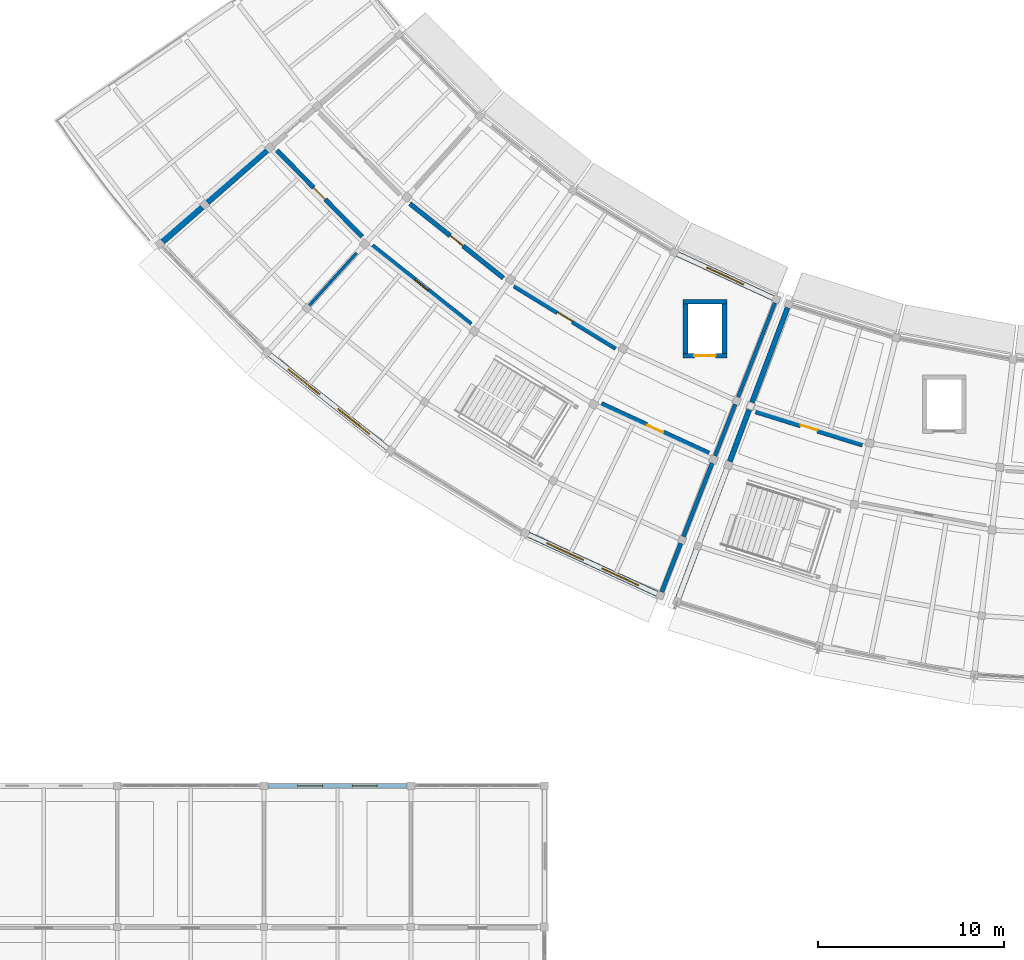
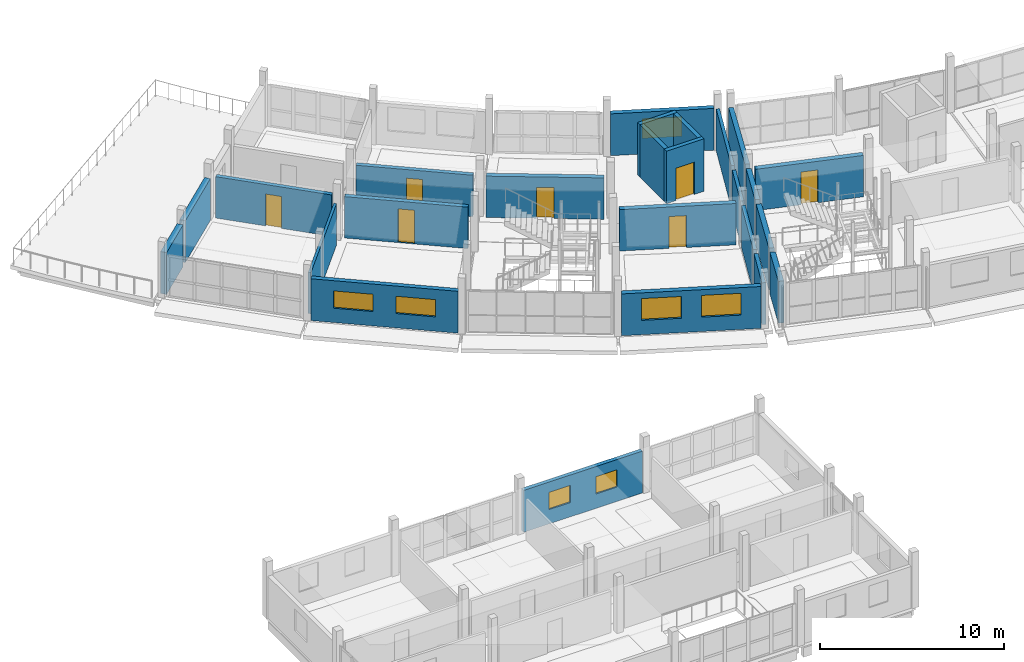
# One storey, part 53 of 66: 25 walls, 7 doors, 7 windows, 14 openings.
"""IFC4 building model written with IfcOpenShell, lengths in metres."""

import ifcopenshell
import ifcopenshell.guid

model = None  # the IFC model being written
_history = None  # IfcOwnerHistory: only IFC2X3 demands one
_inside = {}  # id of a spatial element -> (the spatial element, [elements in it])
_under = {}  # id of a project, library or spatial element -> (it, [spatial elements below it])
_declared = {}  # id of a project -> (the project, [libraries it declares])
_typed = {}  # id of a type object -> (the type object, [elements of that type])
_made_of = {}  # id of a material, layer set ... -> (it, [elements and type objects made of it])


def new_model(schema):
    """Start an empty IFC model of exactly this schema.

    Asked for "IFC4X3", IfcOpenShell would pick the latest addendum, in which some entities
    have other attributes; the version numbers below select the first issue.
    IFC2X3 requires an IfcOwnerHistory on every rooted entity: one is made here for all.
    """
    global model, _history
    if schema == "IFC4X3":
        model = ifcopenshell.file(schema_version=(4, 3, 0, 0))
    else:
        model = ifcopenshell.file(schema=schema)
    _inside.clear()
    _under.clear()
    _declared.clear()
    _typed.clear()
    _made_of.clear()
    _history = None
    if model.schema == "IFC2X3":
        org = make("IfcOrganization", Name="unknown")
        user = make(
            "IfcPersonAndOrganization",
            ThePerson=make("IfcPerson", FamilyName="unknown"),
            TheOrganization=org,
        )
        app = make(
            "IfcApplication",
            ApplicationDeveloper=org,
            Version="unknown",
            ApplicationFullName="unknown",
            ApplicationIdentifier="unknown",
        )
        _history = make(
            "IfcOwnerHistory",
            OwningUser=user,
            OwningApplication=app,
            ChangeAction="ADDED",
            CreationDate=0,
        )
    return model


def make(cls, **values):
    """One entity of the class cls with the attributes given. An attribute that is None is left unset."""
    return model.create_entity(
        cls, **{name: value for name, value in values.items() if value is not None}
    )


def rooted(cls, **values):
    """An entity with a GlobalId (a new one), such as an element, a storey or a relation."""
    return make(cls, GlobalId=ifcopenshell.guid.new(), OwnerHistory=_history, **values)


def si_unit(unit_type, name, prefix=None):
    """IfcSIUnit, for example si_unit("LENGTHUNIT", "METRE", prefix="MILLI")."""
    return make("IfcSIUnit", UnitType=unit_type, Prefix=prefix, Name=name)


def assignment(units):
    """IfcUnitAssignment: the units of a project."""
    return None if units is None else make("IfcUnitAssignment", Units=units)


def point(xyz):
    """IfcCartesianPoint."""
    return None if xyz is None else make("IfcCartesianPoint", Coordinates=xyz)


def direction(xyz):
    """IfcDirection."""
    return None if xyz is None else make("IfcDirection", DirectionRatios=xyz)


def frame(location, z_axis=None, x_axis=None):
    """IfcAxis2Placement3D, a coordinate frame: its origin and axes. An axis left out is left unset."""
    return make(
        "IfcAxis2Placement3D",
        Location=point(location),
        Axis=direction(z_axis),
        RefDirection=direction(x_axis),
    )


def frame_2d(location, x_axis=None):
    """IfcAxis2Placement2D, a coordinate frame in the plane: its origin and x axis."""
    return make(
        "IfcAxis2Placement2D", Location=point(location), RefDirection=direction(x_axis)
    )


def origin():
    """The frame at (0, 0, 0) with its axes left unset."""
    return frame((0.0, 0.0, 0.0))


def place(relative_to, where):
    """IfcLocalPlacement: puts the frame where relative to a parent placement (None: the world)."""
    return make(
        "IfcLocalPlacement", PlacementRelTo=relative_to, RelativePlacement=where
    )


def context(
    kind, dimensions, precision=None, world=None, true_north=None, identifier=None
):
    """IfcGeometricRepresentationContext, for example the 3D "Model" context."""
    return make(
        "IfcGeometricRepresentationContext",
        ContextIdentifier=identifier,
        ContextType=kind,
        CoordinateSpaceDimension=dimensions,
        Precision=precision,
        WorldCoordinateSystem=world,
        TrueNorth=true_north,
    )


def subcontext(parent, identifier, kind, view, scale=None):
    """IfcGeometricRepresentationSubContext, for example "Body" below "Model"."""
    return make(
        "IfcGeometricRepresentationSubContext",
        ContextIdentifier=identifier,
        ContextType=kind,
        ParentContext=parent,
        TargetScale=scale,
        TargetView=view,
    )


def project(units=None, contexts=None):
    """IfcProject with its units and contexts."""
    return rooted(
        "IfcProject",
        Name="project",
        RepresentationContexts=contexts,
        UnitsInContext=assignment(units),
    )


def spatial(cls, under=None, at=None, **own):
    """A site, building, storey or space (cls), placed at a placement, below another one or the project."""
    s = rooted(cls, ObjectPlacement=at, **own)
    if under is not None:
        _under.setdefault(under.id(), (under, []))[1].append(s)
    return s


def profile(cls, at=None, kind="AREA", **sizes):
    """A parametric profile (cls). Its sizes go by their IFC names, for example OverallWidth=200.0."""
    return make(cls, ProfileType=kind, Position=at, **sizes)


def rectangle(**sizes):
    """IfcRectangleProfileDef."""
    return profile("IfcRectangleProfileDef", **sizes)


def extrude(swept, where, along, depth):
    """IfcExtrudedAreaSolid: the profile swept, set in the frame where, extruded along a direction by depth."""
    return make(
        "IfcExtrudedAreaSolid",
        SweptArea=swept,
        Position=where,
        ExtrudedDirection=direction(along),
        Depth=depth,
    )


def shape(context_of_items, identifier, shape_type, items):
    """IfcShapeRepresentation: the items that make up one representation, for example the "Body"."""
    return make(
        "IfcShapeRepresentation",
        ContextOfItems=context_of_items,
        RepresentationIdentifier=identifier,
        RepresentationType=shape_type,
        Items=items,
    )


def material(Name=None, Category=None):
    """IfcMaterial."""
    return make("IfcMaterial", Name=Name, Category=Category)


def layer(
    of_material, thickness, ventilated=None, Name=None, Category=None, Priority=None
):
    """IfcMaterialLayer: one layer of a wall or slab, of a material (None: an air gap)."""
    return make(
        "IfcMaterialLayer",
        Material=of_material,
        LayerThickness=thickness,
        IsVentilated=ventilated,
        Name=Name,
        Category=Category,
        Priority=Priority,
    )


def layer_set(layers, Name=None):
    """IfcMaterialLayerSet."""
    return make("IfcMaterialLayerSet", MaterialLayers=layers, LayerSetName=Name)


def made_of(thing, what):
    """Note that an element or type object is made of a material, layer set ...; save() writes the relation."""
    if what is not None:
        _made_of.setdefault(what.id(), (what, []))[1].append(thing)
    return thing


def type_object(cls, material=None, **own):
    """A type object (cls), such as IfcWallType, which elements share."""
    return made_of(rooted(cls, **own), material)


def element(
    cls,
    number,
    at=None,
    inside=None,
    cuts=None,
    type_object=None,
    material=None,
    context=None,
    identifier="Body",
    shape_type=None,
    held_by="IfcProductDefinitionShape",
    body=None,
    shapes=None,
    **own,
):
    """One element of the class cls, such as IfcWall. Its Tag is "e" and its number.

    at: its placement. inside: the storey or other place that contains it. cuts: it is an
    opening in that element (IfcRelVoidsElement). A single representation is given by context,
    identifier, shape_type and body (its items); several are given by shapes. held_by: the class
    of the entity that holds the representations. save() writes the other relations.
    """
    e = rooted(cls, Tag="e%d" % number, ObjectPlacement=at, **own)
    if body is not None:
        shapes = [shape(context, identifier, shape_type, body)]
    if shapes is not None:
        e.Representation = make(held_by, Representations=shapes)
    if inside is not None:
        _inside.setdefault(inside.id(), (inside, []))[1].append(e)
    if cuts is not None:
        rooted(
            "IfcRelVoidsElement", RelatingBuildingElement=cuts, RelatedOpeningElement=e
        )
    if type_object is not None:
        _typed.setdefault(type_object.id(), (type_object, []))[1].append(e)
    return made_of(e, material)


def fill(opening, filler):
    """IfcRelFillsElement: the door or window that sits in an opening."""
    return rooted(
        "IfcRelFillsElement",
        RelatingOpeningElement=opening,
        RelatedBuildingElement=filler,
    )


def aggregate(whole, parts):
    """IfcRelAggregates: a whole, such as a stair, and the parts it consists of."""
    return rooted("IfcRelAggregates", RelatingObject=whole, RelatedObjects=parts)


def save(model, path):
    """Write the relations noted so far, then the file.

    IfcRelAggregates (storeys below a building ...), IfcRelContainedInSpatialStructure (elements
    in a storey), IfcRelDefinesByType, IfcRelAssociatesMaterial and IfcRelDeclares: one each for
    every whole, place, type object, material and project.
    """
    for whole, parts in _under.values():
        aggregate(whole, parts)
    for where, things in _inside.values():
        rooted(
            "IfcRelContainedInSpatialStructure",
            RelatedElements=things,
            RelatingStructure=where,
        )
    for kind, things in _typed.values():
        rooted("IfcRelDefinesByType", RelatedObjects=things, RelatingType=kind)
    for what, things in _made_of.values():
        rooted("IfcRelAssociatesMaterial", RelatedObjects=things, RelatingMaterial=what)
    for by, libraries in _declared.values():
        rooted("IfcRelDeclares", RelatingContext=by, RelatedDefinitions=libraries)
    model.write(path)


model = new_model("IFC4")

# Units and contexts
model_context = context("Model", 3, precision=1e-05, world=origin(), true_north=direction((0.0, 1.0)))
body_context = subcontext(model_context, "Body", "Model", "MODEL_VIEW")
ifc_project = project(units=[si_unit("LENGTHUNIT", "METRE"), si_unit("AREAUNIT", "SQUARE_METRE"), si_unit("VOLUMEUNIT", "CUBIC_METRE"), si_unit("PLANEANGLEUNIT", "RADIAN"), si_unit("MASSUNIT", "GRAM", prefix="KILO")], contexts=[model_context])

# Site, building, storey
site_placement = place(None, origin())
site = spatial("IfcSite", under=ifc_project, at=site_placement, CompositionType="ELEMENT")
building_placement = place(site_placement, origin())
building = spatial("IfcBuilding", under=site, at=building_placement, Name="Caldaven Crescent School", CompositionType="ELEMENT")
storey_placement = place(building_placement, frame((0.0, 0.0, 8.159912109375)))
storey = spatial("IfcBuildingStorey", under=building, at=storey_placement, Name="L02", CompositionType="ELEMENT", Elevation=8.159912109375)

# Wall
ifc_material_1 = material(Name="Concrete C35/45", Category="concrete")
ifc_layer_1 = layer(ifc_material_1, 0.300048828125)
ifc_layer_set_1 = layer_set([ifc_layer_1], Name="Concrete C35/45")
wall_type_1 = type_object("IfcWallType", Name="WAL-CW1", PredefinedType="SHEAR", material=ifc_layer_set_1)
wall_1_placement = place(storey_placement, frame((63.85107421875, 47.0380859375, 0.0), z_axis=(0.0, 0.0, 1.0), x_axis=(1.0, 0.0, 0.0)))
element("IfcWall", 1, at=wall_1_placement, inside=storey, type_object=wall_type_1, Name="CW-LF4-L02-N", PredefinedType="SHEAR", context=body_context, shape_type="SweptSolid", body=[
    extrude(rectangle(XDim=2.349853515625, YDim=0.25, at=frame_2d((1.1748046875, 0.0))), origin(), (0.0, 0.0, 1.0), 3.489990234375),
])

# Wall, opening, door
wall_2_placement = place(storey_placement, frame((63.85107421875, 44.13818359375, 0.0), z_axis=(0.0, 0.0, 1.0), x_axis=(1.0, 0.0, 0.0)))
wall_2 = element("IfcWall", 2, at=wall_2_placement, inside=storey, type_object=wall_type_1, Name="CW-LF4-L02-S", PredefinedType="SHEAR", context=body_context, shape_type="SweptSolid", body=[
    extrude(rectangle(XDim=2.349853515625, YDim=0.25, at=frame_2d((1.1748046875, 0.0))), origin(), (0.0, 0.0, 1.0), 3.489990234375),
])
opening_1_placement = place(wall_2_placement, frame((0.60009765625, 0.0, 0.0)))
opening_1 = element("IfcOpeningElement", 3, at=opening_1_placement, cuts=wall_2, Name="Opening LD-LF4-L02", PredefinedType="OPENING", context=body_context, shape_type="SweptSolid", body=[
    extrude(rectangle(XDim=1.14990234375, YDim=2.14990234375, at=frame_2d((0.574951171875, 1.074951171875))), frame((0.0, 0.135009765625, 0.0), z_axis=(0.0, -1.0, 0.0), x_axis=(1.0, 0.0, 0.0)), (0.0, 0.0, 1.0), 0.27001953125),
])
ifc_material_2 = material(Name="Brushed stainless-steel automatic telescopic landing door", Category="steel")
door_type_1 = type_object("IfcDoorType", Name="DOR-LD02", OperationType="DOUBLE_DOOR_SLIDING", PredefinedType="DOOR", material=ifc_material_2)
door_1_placement = place(opening_1_placement, origin())
door_1 = element("IfcDoor", 4, at=door_1_placement, inside=storey, type_object=door_type_1, Name="DOR-LD-LF4-L02", OperationType="DOUBLE_DOOR_SLIDING", OverallHeight=2.14990234375, OverallWidth=1.14990234375, PredefinedType="DOOR", context=body_context, shape_type="SweptSolid", body=[
    extrude(rectangle(XDim=1.14990234375, YDim=2.14990234375, at=frame_2d((0.574951171875, 1.074951171875))), frame((0.0, 0.02490234375, 0.0), z_axis=(0.0, -1.0, 0.0), x_axis=(1.0, 0.0, 0.0)), (0.0, 0.0, 1.0), 0.050048828125),
])
fill(opening_1, door_1)

# Walls
ifc_layer_2 = layer(ifc_material_1, 0.25)
ifc_layer_set_2 = layer_set([ifc_layer_2], Name="Concrete C35/45")
wall_type_2 = type_object("IfcWallType", Name="WAL-CW2", PredefinedType="SHEAR", material=ifc_layer_set_2)
for number, where, z_axis, x_axis, name in (
    (5, (63.97607421875, 44.26318359375, 0.0), (0.0, 0.0, 1.0), (0.0, 1.0, 0.0), "CW-LF4-L02-W"),
    (6, (66.075927734375, 44.26318359375, 0.0), (0.0, 0.0, 1.0), (0.0, 1.0, 0.0), "CW-LF4-L02-E"),
):
    element("IfcWall", number, at=place(storey_placement, frame(where, z_axis=z_axis, x_axis=x_axis)), inside=storey, type_object=wall_type_2, Name=name, PredefinedType="SHEAR", context=body_context, shape_type="SweptSolid", body=[
        extrude(rectangle(XDim=2.64990234375, YDim=0.25, at=frame_2d((1.324951171875, 0.0))), origin(), (0.0, 0.0, 1.0), 3.489990234375),
    ])
ifc_material_3 = material(Name="Precast concrete C35/45", Category="concrete")
ifc_layer_3 = layer(ifc_material_3, 0.19189453125)
ifc_layer_set_3 = layer_set([ifc_layer_3], Name="Precast concrete C35/45")
wall_type_3 = type_object("IfcWallType", Name="WAL-EW01", PredefinedType="STANDARD", material=ifc_layer_set_3)
wall_3_placement = place(storey_placement, frame((68.794677734375, 46.97998046875, 0.0), z_axis=(0.0, 0.0, 1.0), x_axis=(-0.364795350011, -0.931087725518, 0.0)))
element("IfcWall", 7, at=wall_3_placement, inside=storey, type_object=wall_type_3, Name="EW-L02-168", PredefinedType="STANDARD", context=body_context, shape_type="SweptSolid", body=[
    extrude(rectangle(XDim=5.43896484375, YDim=0.19189453125, at=frame_2d((2.719482421875, 0.0))), origin(), (0.0, 0.0, 1.0), 2.780029296875),
])
ifc_layer_4 = layer(ifc_material_3, 0.2041015625)
ifc_layer_set_4 = layer_set([ifc_layer_4], Name="Precast concrete C35/45")
wall_type_4 = type_object("IfcWallType", Name="WAL-EW02", PredefinedType="STANDARD", material=ifc_layer_set_4)
wall_4_placement = place(storey_placement, frame((66.6552734375, 41.51904296875, 0.0), z_axis=(0.0, 0.0, 1.0), x_axis=(-0.364814075751, -0.931080388653, 0.0)))
element("IfcWall", 8, at=wall_4_placement, inside=storey, type_object=wall_type_4, Name="EW-L02-169", PredefinedType="STANDARD", context=body_context, shape_type="SweptSolid", body=[
    extrude(rectangle(XDim=2.97412109375, YDim=0.2041015625, at=frame_2d((1.487060546875, 0.0))), origin(), (0.0, 0.0, 1.0), 2.780029296875),
])
ifc_layer_5 = layer(ifc_material_3, 0.216064453125)
ifc_layer_set_5 = layer_set([ifc_layer_5], Name="Precast concrete C35/45")
wall_type_5 = type_object("IfcWallType", Name="WAL-EW03", PredefinedType="STANDARD", material=ifc_layer_set_5)
wall_5_placement = place(storey_placement, frame((65.4150390625, 38.353271484375, 0.0), z_axis=(0.0, 0.0, 1.0), x_axis=(-0.364807578084, -0.93108293453, 0.0)))
element("IfcWall", 9, at=wall_5_placement, inside=storey, type_object=wall_type_5, Name="EW-L02-170", PredefinedType="STANDARD", context=body_context, shape_type="SweptSolid", body=[
    extrude(rectangle(XDim=4.239013671875, YDim=0.216064453125, at=frame_2d((2.11962890625, 0.0))), origin(), (0.0, 0.0, 1.0), 2.780029296875),
])
ifc_layer_6 = layer(ifc_material_3, 0.22802734375)
ifc_layer_set_6 = layer_set([ifc_layer_6], Name="Precast concrete C35/45")
wall_type_6 = type_object("IfcWallType", Name="WAL-EW04", PredefinedType="STANDARD", material=ifc_layer_set_6)
wall_6_placement = place(storey_placement, frame((63.72412109375, 34.037841796875, 0.0), z_axis=(0.0, 0.0, 1.0), x_axis=(-0.364806382824, -0.931083402844, 0.0)))
element("IfcWall", 10, at=wall_6_placement, inside=storey, type_object=wall_type_6, Name="EW-L02-171", PredefinedType="STANDARD", context=body_context, shape_type="SweptSolid", body=[
    extrude(rectangle(XDim=2.80419921875, YDim=0.22802734375, at=frame_2d((1.402099609375, 0.0))), origin(), (0.0, 0.0, 1.0), 2.780029296875),
])

# Wall, openings, windows
ifc_layer_7 = layer(ifc_material_3, 0.239990234375)
ifc_layer_set_7 = layer_set([ifc_layer_7], Name="Precast concrete C35/45")
wall_type_7 = type_object("IfcWallType", Name="WAL-EW05", PredefinedType="STANDARD", material=ifc_layer_set_7)
wall_7_placement = place(storey_placement, frame((41.512939453125, 21.0, 0.0), z_axis=(0.0, 0.0, 1.0), x_axis=(1.0, 0.0, 0.0)))
wall_7 = element("IfcWall", 11, at=wall_7_placement, inside=storey, type_object=wall_type_7, Name="EW-L02-074", PredefinedType="STANDARD", context=body_context, shape_type="SweptSolid", body=[
    extrude(rectangle(XDim=7.47412109375, YDim=0.239990234375, at=frame_2d((3.737060546875, 0.0))), origin(), (0.0, 0.0, 1.0), 2.780029296875),
])
opening_2_placement = place(wall_7_placement, frame((1.597900390625, 0.0, 0.949951171875)))
opening_2 = element("IfcOpeningElement", 12, at=opening_2_placement, cuts=wall_7, Name="Opening W09", PredefinedType="OPENING", context=body_context, shape_type="SweptSolid", body=[
    extrude(rectangle(XDim=1.340087890625, YDim=1.14990234375, at=frame_2d((0.669921875, 0.574951171875))), frame((0.0, 0.1298828125, 0.0), z_axis=(0.0, -1.0, 0.0), x_axis=(1.0, 0.0, 0.0)), (0.0, 0.0, 1.0), 0.260009765625),
])
opening_3_placement = place(wall_7_placement, frame((4.535888671875, 0.0, 0.949951171875)))
opening_3 = element("IfcOpeningElement", 13, at=opening_3_placement, cuts=wall_7, Name="Opening W09", PredefinedType="OPENING", context=body_context, shape_type="SweptSolid", body=[
    extrude(rectangle(XDim=1.340087890625, YDim=1.14990234375, at=frame_2d((0.669921875, 0.574951171875))), frame((0.0, 0.1298828125, 0.0), z_axis=(0.0, -1.0, 0.0), x_axis=(1.0, 0.0, 0.0)), (0.0, 0.0, 1.0), 0.260009765625),
])
ifc_material_4 = material(Name="Thermally broken anodised aluminium AA 6063-T6 and low-E double glazing", Category="aluminium")
window_type_1 = type_object("IfcWindowType", Name="WIN-W09", PartitioningType="SINGLE_PANEL", PredefinedType="WINDOW", material=ifc_material_4)
window_1_placement = place(opening_2_placement, origin())
window_1 = element("IfcWindow", 14, at=window_1_placement, inside=storey, type_object=window_type_1, Name="WIN-L02-056-1", OverallHeight=1.14990234375, OverallWidth=1.340087890625, PartitioningType="SINGLE_PANEL", PredefinedType="WINDOW", context=body_context, shape_type="SweptSolid", body=[
    extrude(rectangle(XDim=1.340087890625, YDim=1.14990234375, at=frame_2d((0.669921875, 0.574951171875))), frame((0.0, 0.030029296875, 0.0), z_axis=(0.0, -1.0, 0.0), x_axis=(1.0, 0.0, 0.0)), (0.0, 0.0, 1.0), 0.06005859375),
])
fill(opening_2, window_1)
window_2_placement = place(opening_3_placement, origin())
window_2 = element("IfcWindow", 15, at=window_2_placement, inside=storey, type_object=window_type_1, Name="WIN-L02-056-2", OverallHeight=1.14990234375, OverallWidth=1.340087890625, PartitioningType="SINGLE_PANEL", PredefinedType="WINDOW", context=body_context, shape_type="SweptSolid", body=[
    extrude(rectangle(XDim=1.340087890625, YDim=1.14990234375, at=frame_2d((0.669921875, 0.574951171875))), frame((0.0, 0.030029296875, 0.0), z_axis=(0.0, -1.0, 0.0), x_axis=(1.0, 0.0, 0.0)), (0.0, 0.0, 1.0), 0.06005859375),
])
fill(opening_3, window_2)

ifc_layer_8 = layer(ifc_material_3, 0.27587890625)
ifc_layer_set_8 = layer_set([ifc_layer_8], Name="Precast concrete C35/45")
wall_type_8 = type_object("IfcWallType", Name="WAL-EW08", PredefinedType="STANDARD", material=ifc_layer_set_8)
wall_8_placement = place(storey_placement, frame((41.616943359375, 44.19091796875, 0.0), z_axis=(0.0, 0.0, 1.0), x_axis=(0.782610403329, -0.62251181242, 0.0)))
wall_8 = element("IfcWall", 16, at=wall_8_placement, inside=storey, type_object=wall_type_8, Name="EW-L02-161", PredefinedType="STANDARD", context=body_context, shape_type="SweptSolid", body=[
    extrude(rectangle(XDim=8.095947265625, YDim=0.27587890625, at=frame_2d((4.0478515625, 0.0))), origin(), (0.0, 0.0, 1.0), 2.780029296875),
])
opening_4_placement = place(wall_8_placement, frame((1.245361328125, 0.0, 0.949951171875)))
opening_4 = element("IfcOpeningElement", 17, at=opening_4_placement, cuts=wall_8, Name="Opening W37", PredefinedType="OPENING", context=body_context, shape_type="SweptSolid", body=[
    extrude(rectangle(XDim=2.179931640625, YDim=1.14990234375, at=frame_2d((1.08984375, 0.574951171875))), frame((0.0, 0.14794921875, 0.0), z_axis=(0.0, -1.0, 0.0), x_axis=(1.0, 0.0, 0.0)), (0.0, 0.0, 1.0), 0.2958984375),
])
opening_5_placement = place(wall_8_placement, frame((4.670654296875, 0.0, 0.949951171875)))
opening_5 = element("IfcOpeningElement", 18, at=opening_5_placement, cuts=wall_8, Name="Opening W37", PredefinedType="OPENING", context=body_context, shape_type="SweptSolid", body=[
    extrude(rectangle(XDim=2.179931640625, YDim=1.14990234375, at=frame_2d((1.08984375, 0.574951171875))), frame((0.0, 0.14794921875, 0.0), z_axis=(0.0, -1.0, 0.0), x_axis=(1.0, 0.0, 0.0)), (0.0, 0.0, 1.0), 0.2958984375),
])
window_type_2 = type_object("IfcWindowType", Name="WIN-W37", PartitioningType="SINGLE_PANEL", PredefinedType="WINDOW", material=ifc_material_4)
window_3_placement = place(opening_4_placement, origin())
window_3 = element("IfcWindow", 19, at=window_3_placement, inside=storey, type_object=window_type_2, Name="WIN-L02-084-1", OverallHeight=1.14990234375, OverallWidth=2.179931640625, PartitioningType="SINGLE_PANEL", PredefinedType="WINDOW", context=body_context, shape_type="SweptSolid", body=[
    extrude(rectangle(XDim=2.179931640625, YDim=1.14990234375, at=frame_2d((1.08984375, 0.574951171875))), frame((0.0, 0.030029296875, 0.0), z_axis=(0.0, -1.0, 0.0), x_axis=(1.0, 0.0, 0.0)), (0.0, 0.0, 1.0), 0.06005859375),
])
fill(opening_4, window_3)
window_4_placement = place(opening_5_placement, origin())
window_4 = element("IfcWindow", 20, at=window_4_placement, inside=storey, type_object=window_type_2, Name="WIN-L02-084-2", OverallHeight=1.14990234375, OverallWidth=2.179931640625, PartitioningType="SINGLE_PANEL", PredefinedType="WINDOW", context=body_context, shape_type="SweptSolid", body=[
    extrude(rectangle(XDim=2.179931640625, YDim=1.14990234375, at=frame_2d((1.08984375, 0.574951171875))), frame((0.0, 0.030029296875, 0.0), z_axis=(0.0, -1.0, 0.0), x_axis=(1.0, 0.0, 0.0)), (0.0, 0.0, 1.0), 0.06005859375),
])
fill(opening_5, window_4)

# Wall
wall_9_placement = place(storey_placement, frame((69.471435546875, 46.72021484375, 0.0), z_axis=(0.0, 0.0, 1.0), x_axis=(-0.351915297574, -0.936031849529, 0.0)))
element("IfcWall", 21, at=wall_9_placement, inside=storey, type_object=wall_type_8, Name="EW-L02-175", PredefinedType="STANDARD", context=body_context, shape_type="SweptSolid", body=[
    extrude(rectangle(XDim=5.43896484375, YDim=0.27587890625, at=frame_2d((2.719482421875, 0.0))), origin(), (0.0, 0.0, 1.0), 2.780029296875),
])

# Wall, opening, window
ifc_layer_9 = layer(ifc_material_3, 0.2880859375)
ifc_layer_set_9 = layer_set([ifc_layer_9], Name="Precast concrete C35/45")
wall_type_9 = type_object("IfcWallType", Name="WAL-EW09", PredefinedType="STANDARD", material=ifc_layer_set_9)
wall_10_placement = place(storey_placement, frame((63.55615234375, 49.606689453125, 0.0), z_axis=(0.0, 0.0, 1.0), x_axis=(0.908529183404, -0.417821400723, 0.0)))
wall_10 = element("IfcWall", 22, at=wall_10_placement, inside=storey, type_object=wall_type_9, Name="EW-L02-162", PredefinedType="STANDARD", context=body_context, shape_type="SweptSolid", body=[
    extrude(rectangle(XDim=5.6474609375, YDim=0.2880859375, at=frame_2d((2.82373046875, 0.0))), origin(), (0.0, 0.0, 1.0), 2.780029296875),
])
opening_6_placement = place(wall_10_placement, frame((1.733642578125, 0.0, 0.949951171875)))
opening_6 = element("IfcOpeningElement", 23, at=opening_6_placement, cuts=wall_10, Name="Opening W38", PredefinedType="OPENING", context=body_context, shape_type="SweptSolid", body=[
    extrude(rectangle(XDim=2.179931640625, YDim=1.300048828125, at=frame_2d((1.08984375, 0.64990234375))), frame((0.0, 0.154052734375, 0.0), z_axis=(0.0, -1.0, 0.0), x_axis=(1.0, 0.0, 0.0)), (0.0, 0.0, 1.0), 0.30810546875),
])
window_type_3 = type_object("IfcWindowType", Name="WIN-W38", PartitioningType="SINGLE_PANEL", PredefinedType="WINDOW", material=ifc_material_4)
window_5_placement = place(opening_6_placement, origin())
window_5 = element("IfcWindow", 24, at=window_5_placement, inside=storey, type_object=window_type_3, Name="WIN-L02-085-1", OverallHeight=1.300048828125, OverallWidth=2.179931640625, PartitioningType="SINGLE_PANEL", PredefinedType="WINDOW", context=body_context, shape_type="SweptSolid", body=[
    extrude(rectangle(XDim=2.179931640625, YDim=1.300048828125, at=frame_2d((1.08984375, 0.64990234375))), frame((0.0, 0.030029296875, 0.0), z_axis=(0.0, -1.0, 0.0), x_axis=(1.0, 0.0, 0.0)), (0.0, 0.0, 1.0), 0.06005859375),
])
fill(opening_6, window_5)

# Wall
wall_11_placement = place(storey_placement, frame((67.407470703125, 41.230224609375, 0.0), z_axis=(0.0, 0.0, 1.0), x_axis=(-0.35193299539, -0.936025195577, 0.0)))
element("IfcWall", 25, at=wall_11_placement, inside=storey, type_object=wall_type_9, Name="EW-L02-176", PredefinedType="STANDARD", context=body_context, shape_type="SweptSolid", body=[
    extrude(rectangle(XDim=2.973876953125, YDim=0.2880859375, at=frame_2d((1.48681640625, 0.0))), origin(), (0.0, 0.0, 1.0), 2.780029296875),
])

# Wall, openings, windows
ifc_layer_10 = layer(ifc_material_3, 0.300048828125)
ifc_layer_set_10 = layer_set([ifc_layer_10], Name="Precast concrete C35/45")
wall_type_10 = type_object("IfcWallType", Name="WAL-EW10", PredefinedType="STANDARD", material=ifc_layer_set_10)
wall_12_placement = place(storey_placement, frame((55.528076171875, 34.50830078125, 0.0), z_axis=(0.0, 0.0, 1.0), x_axis=(0.908533520845, -0.417811969073, 0.0)))
wall_12 = element("IfcWall", 26, at=wall_12_placement, inside=storey, type_object=wall_type_10, Name="EW-L02-163", PredefinedType="STANDARD", context=body_context, shape_type="SweptSolid", body=[
    extrude(rectangle(XDim=7.617919921875, YDim=0.300048828125, at=frame_2d((3.80908203125, 0.0))), origin(), (0.0, 0.0, 1.0), 2.780029296875),
])
opening_7_placement = place(wall_12_placement, frame((1.0859375, 0.0, 0.949951171875)))
opening_7 = element("IfcOpeningElement", 27, at=opening_7_placement, cuts=wall_12, Name="Opening W39", PredefinedType="OPENING", context=body_context, shape_type="SweptSolid", body=[
    extrude(rectangle(XDim=2.179931640625, YDim=1.449951171875, at=frame_2d((1.08984375, 0.72509765625))), frame((0.0, 0.159912109375, 0.0), z_axis=(0.0, -1.0, 0.0), x_axis=(1.0, 0.0, 0.0)), (0.0, 0.0, 1.0), 0.320068359375),
])
opening_8_placement = place(wall_12_placement, frame((4.351806640625, 0.0, 0.949951171875)))
opening_8 = element("IfcOpeningElement", 28, at=opening_8_placement, cuts=wall_12, Name="Opening W39", PredefinedType="OPENING", context=body_context, shape_type="SweptSolid", body=[
    extrude(rectangle(XDim=2.179931640625, YDim=1.449951171875, at=frame_2d((1.08984375, 0.72509765625))), frame((0.0, 0.159912109375, 0.0), z_axis=(0.0, -1.0, 0.0), x_axis=(1.0, 0.0, 0.0)), (0.0, 0.0, 1.0), 0.320068359375),
])
window_type_4 = type_object("IfcWindowType", Name="WIN-W39", PartitioningType="SINGLE_PANEL", PredefinedType="WINDOW", material=ifc_material_4)
window_6_placement = place(opening_7_placement, origin())
window_6 = element("IfcWindow", 29, at=window_6_placement, inside=storey, type_object=window_type_4, Name="WIN-L02-086-1", OverallHeight=1.449951171875, OverallWidth=2.179931640625, PartitioningType="SINGLE_PANEL", PredefinedType="WINDOW", context=body_context, shape_type="SweptSolid", body=[
    extrude(rectangle(XDim=2.179931640625, YDim=1.449951171875, at=frame_2d((1.08984375, 0.72509765625))), frame((0.0, 0.030029296875, 0.0), z_axis=(0.0, -1.0, 0.0), x_axis=(1.0, 0.0, 0.0)), (0.0, 0.0, 1.0), 0.06005859375),
])
fill(opening_7, window_6)
window_7_placement = place(opening_8_placement, origin())
window_7 = element("IfcWindow", 30, at=window_7_placement, inside=storey, type_object=window_type_4, Name="WIN-L02-086-2", OverallHeight=1.449951171875, OverallWidth=2.179931640625, PartitioningType="SINGLE_PANEL", PredefinedType="WINDOW", context=body_context, shape_type="SweptSolid", body=[
    extrude(rectangle(XDim=2.179931640625, YDim=1.449951171875, at=frame_2d((1.08984375, 0.72509765625))), frame((0.0, 0.030029296875, 0.0), z_axis=(0.0, -1.0, 0.0), x_axis=(1.0, 0.0, 0.0)), (0.0, 0.0, 1.0), 0.06005859375),
])
fill(opening_8, window_7)

# Walls
wall_13_placement = place(storey_placement, frame((66.2109375, 38.0478515625, 0.0), z_axis=(0.0, 0.0, 1.0), x_axis=(-0.351956442029, -0.936016379619, 0.0)))
element("IfcWall", 31, at=wall_13_placement, inside=storey, type_object=wall_type_10, Name="EW-L02-177", PredefinedType="STANDARD", context=body_context, shape_type="SweptSolid", body=[
    extrude(rectangle(XDim=4.239013671875, YDim=0.300048828125, at=frame_2d((2.11962890625, 0.0))), origin(), (0.0, 0.0, 1.0), 2.780029296875),
])
ifc_layer_11 = layer(ifc_material_3, 0.31201171875)
ifc_layer_set_11 = layer_set([ifc_layer_11], Name="Precast concrete C35/45")
wall_type_11 = type_object("IfcWallType", Name="WAL-EW11", PredefinedType="STANDARD", material=ifc_layer_set_11)
wall_14_placement = place(storey_placement, frame((64.57958984375, 33.70947265625, 0.0), z_axis=(0.0, 0.0, 1.0), x_axis=(-0.351915246361, -0.936031868784, 0.0)))
element("IfcWall", 32, at=wall_14_placement, inside=storey, type_object=wall_type_11, Name="EW-L02-178", PredefinedType="STANDARD", context=body_context, shape_type="SweptSolid", body=[
    extrude(rectangle(XDim=2.80419921875, YDim=0.31201171875, at=frame_2d((1.402099609375, 0.0))), origin(), (0.0, 0.0, 1.0), 2.780029296875),
])
ifc_layer_12 = layer(ifc_material_3, 0.3359375)
ifc_layer_set_12 = layer_set([ifc_layer_12], Name="Precast concrete C35/45")
wall_type_12 = type_object("IfcWallType", Name="WAL-EW13", PredefinedType="STANDARD", material=ifc_layer_set_12)
wall_15_placement = place(storey_placement, frame((41.4404296875, 55.190185546875, 0.0), z_axis=(0.0, 0.0, 1.0), x_axis=(-0.752030548673, -0.659128252969, 0.0)))
element("IfcWall", 33, at=wall_15_placement, inside=storey, type_object=wall_type_12, Name="EW-L02-166", PredefinedType="STANDARD", context=body_context, shape_type="SweptSolid", body=[
    extrude(rectangle(XDim=4.23876953125, YDim=0.3359375, at=frame_2d((2.119384765625, 0.0))), origin(), (0.0, 0.0, 1.0), 2.780029296875),
])
ifc_layer_13 = layer(ifc_material_3, 0.347900390625)
ifc_layer_set_13 = layer_set([ifc_layer_13], Name="Precast concrete C35/45")
wall_type_13 = type_object("IfcWallType", Name="WAL-EW14", PredefinedType="STANDARD", material=ifc_layer_set_13)
wall_16_placement = place(storey_placement, frame((37.954833984375, 52.135009765625, 0.0), z_axis=(0.0, 0.0, 1.0), x_axis=(-0.752031665926, -0.65912697824, 0.0)))
element("IfcWall", 34, at=wall_16_placement, inside=storey, type_object=wall_type_13, Name="EW-L02-167", PredefinedType="STANDARD", context=body_context, shape_type="SweptSolid", body=[
    extrude(rectangle(XDim=2.803955078125, YDim=0.347900390625, at=frame_2d((1.40185546875, 0.0))), origin(), (0.0, 0.0, 1.0), 2.780029296875),
])

# Wall, opening, door
ifc_material_5 = material(Name="Acoustic timber-stud and fire-rated gypsum board assembly", Category="wood")
ifc_layer_14 = layer(ifc_material_5, 0.239990234375)
ifc_layer_set_14 = layer_set([ifc_layer_14], Name="Acoustic timber-stud and fire-rated gypsum board assembly")
wall_type_14 = type_object("IfcWallType", Name="WAL-IW09", PredefinedType="STANDARD", material=ifc_layer_set_14)
wall_17_placement = place(storey_placement, frame((41.989013671875, 55.193115234375, 0.0), z_axis=(0.0, 0.0, 1.0), x_axis=(0.702368484449, -0.711813537419, 0.0)))
wall_17 = element("IfcWall", 35, at=wall_17_placement, inside=storey, type_object=wall_type_14, Name="IW-L02-0232", PredefinedType="STANDARD", context=body_context, shape_type="SweptSolid", body=[
    extrude(rectangle(XDim=6.539794921875, YDim=0.239990234375, at=frame_2d((3.27001953125, 0.0))), origin(), (0.0, 0.0, 1.0), 2.75),
])
opening_9_placement = place(wall_17_placement, frame((2.81982421875, 0.0, 0.0)))
opening_9 = element("IfcOpeningElement", 36, at=opening_9_placement, cuts=wall_17, Name="Opening D-L02-I165", PredefinedType="OPENING", context=body_context, shape_type="SweptSolid", body=[
    extrude(rectangle(XDim=0.89990234375, YDim=2.1201171875, at=frame_2d((0.449951171875, 1.06005859375))), frame((0.0, 0.1298828125, 0.0), z_axis=(0.0, -1.0, 0.0), x_axis=(1.0, 0.0, 0.0)), (0.0, 0.0, 1.0), 0.260009765625),
])
ifc_material_6 = material(Name="Solid-core Pino Radiata acoustic timber leaf in steel frame", Category="steel")
door_type_2 = type_object("IfcDoorType", Name="DOR-ID06", OperationType="NOTDEFINED", PredefinedType="DOOR", material=ifc_material_6)
door_2_placement = place(opening_9_placement, origin())
door_2 = element("IfcDoor", 37, at=door_2_placement, inside=storey, type_object=door_type_2, Name="DOR-INT-L02-0165", OperationType="SINGLE_SWING_RIGHT", OverallHeight=2.1201171875, OverallWidth=0.89990234375, PredefinedType="DOOR", context=body_context, shape_type="SweptSolid", body=[
    extrude(rectangle(XDim=0.89990234375, YDim=2.1201171875, at=frame_2d((0.449951171875, 1.06005859375))), frame((0.0, 0.02490234375, 0.0), z_axis=(0.0, -1.0, 0.0), x_axis=(1.0, 0.0, 0.0)), (0.0, 0.0, 1.0), 0.050048828125),
])
fill(opening_9, door_2)

ifc_layer_15 = layer(ifc_material_5, 0.25)
ifc_layer_set_15 = layer_set([ifc_layer_15], Name="Acoustic timber-stud and fire-rated gypsum board assembly")
wall_type_15 = type_object("IfcWallType", Name="WAL-IW10", PredefinedType="STANDARD", material=ifc_layer_set_15)
wall_18_placement = place(storey_placement, frame((49.15087890625, 52.31689453125, 0.0), z_axis=(0.0, 0.0, 1.0), x_axis=(0.782605685559, -0.622517743467, 0.0)))
wall_18 = element("IfcWall", 38, at=wall_18_placement, inside=storey, type_object=wall_type_15, Name="IW-L02-0233", PredefinedType="STANDARD", context=body_context, shape_type="SweptSolid", body=[
    extrude(rectangle(XDim=6.42041015625, YDim=0.25, at=frame_2d((3.210205078125, 0.0))), origin(), (0.0, 0.0, 1.0), 2.75),
])
opening_10_placement = place(wall_18_placement, frame((2.760009765625, 0.0, 0.0)))
opening_10 = element("IfcOpeningElement", 39, at=opening_10_placement, cuts=wall_18, Name="Opening D-L02-I166", PredefinedType="OPENING", context=body_context, shape_type="SweptSolid", body=[
    extrude(rectangle(XDim=0.89990234375, YDim=2.179931640625, at=frame_2d((0.449951171875, 1.08984375))), frame((0.0, 0.135009765625, 0.0), z_axis=(0.0, -1.0, 0.0), x_axis=(1.0, 0.0, 0.0)), (0.0, 0.0, 1.0), 0.27001953125),
])
door_type_3 = type_object("IfcDoorType", Name="DOR-ID07", OperationType="NOTDEFINED", PredefinedType="DOOR", material=ifc_material_6)
door_3_placement = place(opening_10_placement, frame((0.89990234375, 0.0, 0.0), z_axis=(0.0, 0.0, 1.0), x_axis=(-1.0, 0.0, 0.0)))
door_3 = element("IfcDoor", 40, at=door_3_placement, inside=storey, type_object=door_type_3, Name="DOR-INT-L02-0166", OperationType="SINGLE_SWING_LEFT", OverallHeight=2.179931640625, OverallWidth=0.89990234375, PredefinedType="DOOR", context=body_context, shape_type="SweptSolid", body=[
    extrude(rectangle(XDim=0.89990234375, YDim=2.179931640625, at=frame_2d((0.449951171875, 1.08984375))), frame((0.0, 0.02490234375, 0.0), z_axis=(0.0, -1.0, 0.0), x_axis=(1.0, 0.0, 0.0)), (0.0, 0.0, 1.0), 0.050048828125),
])
fill(opening_10, door_3)

ifc_layer_16 = layer(ifc_material_5, 0.260009765625)
ifc_layer_set_16 = layer_set([ifc_layer_16], Name="Acoustic timber-stud and fire-rated gypsum board assembly")
wall_type_16 = type_object("IfcWallType", Name="WAL-IW11", PredefinedType="STANDARD", material=ifc_layer_set_16)
wall_19_placement = place(storey_placement, frame((47.11669921875, 50.0576171875, 0.0), z_axis=(0.0, 0.0, 1.0), x_axis=(0.782615780998, -0.622505051653, 0.0)))
wall_19 = element("IfcWall", 41, at=wall_19_placement, inside=storey, type_object=wall_type_16, Name="IW-L02-0234", PredefinedType="STANDARD", context=body_context, shape_type="SweptSolid", body=[
    extrude(rectangle(XDim=6.79150390625, YDim=0.260009765625, at=frame_2d((3.395751953125, 0.0))), origin(), (0.0, 0.0, 1.0), 2.75),
])
opening_11_placement = place(wall_19_placement, frame((2.94580078125, 0.0, 0.0)))
opening_11 = element("IfcOpeningElement", 42, at=opening_11_placement, cuts=wall_19, Name="Opening D-L02-I167", PredefinedType="OPENING", context=body_context, shape_type="SweptSolid", body=[
    extrude(rectangle(XDim=0.89990234375, YDim=2.239990234375, at=frame_2d((0.449951171875, 1.1201171875))), frame((0.0, 0.139892578125, 0.0), z_axis=(0.0, -1.0, 0.0), x_axis=(1.0, 0.0, 0.0)), (0.0, 0.0, 1.0), 0.280029296875),
])
door_type_4 = type_object("IfcDoorType", Name="DOR-ID08", OperationType="NOTDEFINED", PredefinedType="DOOR", material=ifc_material_6)
door_4_placement = place(opening_11_placement, origin())
door_4 = element("IfcDoor", 43, at=door_4_placement, inside=storey, type_object=door_type_4, Name="DOR-INT-L02-0167", OperationType="SINGLE_SWING_RIGHT", OverallHeight=2.239990234375, OverallWidth=0.89990234375, PredefinedType="DOOR", context=body_context, shape_type="SweptSolid", body=[
    extrude(rectangle(XDim=0.89990234375, YDim=2.239990234375, at=frame_2d((0.449951171875, 1.1201171875))), frame((0.0, 0.02490234375, 0.0), z_axis=(0.0, -1.0, 0.0), x_axis=(1.0, 0.0, 0.0)), (0.0, 0.0, 1.0), 0.050048828125),
])
fill(opening_11, door_4)

ifc_material_7 = material(Name="Autoclaved aerated concrete block masonry G5", Category="masonry")
ifc_layer_17 = layer(ifc_material_7, 0.2900390625)
ifc_layer_set_17 = layer_set([ifc_layer_17], Name="Autoclaved aerated concrete block masonry G5")
wall_type_17 = type_object("IfcWallType", Name="WAL-IW14", PredefinedType="STANDARD", material=ifc_layer_set_17)
wall_20_placement = place(storey_placement, frame((54.76416015625, 47.907958984375, 0.0), z_axis=(0.0, 0.0, 1.0), x_axis=(0.852626937867, -0.522520147767, 0.0)))
wall_20 = element("IfcWall", 44, at=wall_20_placement, inside=storey, type_object=wall_type_17, Name="IW-L02-0237", PredefinedType="STANDARD", context=body_context, shape_type="SweptSolid", body=[
    extrude(rectangle(XDim=6.42041015625, YDim=0.2900390625, at=frame_2d((3.210205078125, 0.0))), origin(), (0.0, 0.0, 1.0), 2.75),
])
opening_12_placement = place(wall_20_placement, frame((2.739990234375, 0.0, 0.0)))
opening_12 = element("IfcOpeningElement", 45, at=opening_12_placement, cuts=wall_20, Name="Opening D-L02-I168", PredefinedType="OPENING", context=body_context, shape_type="SweptSolid", body=[
    extrude(rectangle(XDim=0.93994140625, YDim=2.06005859375, at=frame_2d((0.469970703125, 1.030029296875))), frame((0.0, 0.155029296875, 0.0), z_axis=(0.0, -1.0, 0.0), x_axis=(1.0, 0.0, 0.0)), (0.0, 0.0, 1.0), 0.31005859375),
])
door_type_5 = type_object("IfcDoorType", Name="DOR-ID09", OperationType="NOTDEFINED", PredefinedType="DOOR", material=ifc_material_6)
door_5_placement = place(opening_12_placement, frame((0.93994140625, 0.0, 0.0), z_axis=(0.0, 0.0, 1.0), x_axis=(-1.0, 0.0, 0.0)))
door_5 = element("IfcDoor", 46, at=door_5_placement, inside=storey, type_object=door_type_5, Name="DOR-INT-L02-0168", OperationType="SINGLE_SWING_LEFT", OverallHeight=2.06005859375, OverallWidth=0.93994140625, PredefinedType="DOOR", context=body_context, shape_type="SweptSolid", body=[
    extrude(rectangle(XDim=0.93994140625, YDim=2.06005859375, at=frame_2d((0.469970703125, 1.030029296875))), frame((0.0, 0.02490234375, 0.0), z_axis=(0.0, -1.0, 0.0), x_axis=(1.0, 0.0, 0.0)), (0.0, 0.0, 1.0), 0.050048828125),
])
fill(opening_12, door_5)

ifc_layer_18 = layer(ifc_material_7, 0.300048828125)
ifc_layer_set_18 = layer_set([ifc_layer_18], Name="Autoclaved aerated concrete block masonry G5")
wall_type_18 = type_object("IfcWallType", Name="WAL-IW15", PredefinedType="STANDARD", material=ifc_layer_set_18)
wall_21_placement = place(storey_placement, frame((59.445068359375, 41.53076171875, 0.0), z_axis=(0.0, 0.0, 1.0), x_axis=(0.908519558618, -0.417842328647, 0.0)))
wall_21 = element("IfcWall", 47, at=wall_21_placement, inside=storey, type_object=wall_type_18, Name="IW-L02-0238", PredefinedType="STANDARD", context=body_context, shape_type="SweptSolid", body=[
    extrude(rectangle(XDim=6.36865234375, YDim=0.300048828125, at=frame_2d((3.184326171875, 0.0))), origin(), (0.0, 0.0, 1.0), 2.75),
])
opening_13_placement = place(wall_21_placement, frame((2.71435546875, 0.0, 0.0)))
opening_13 = element("IfcOpeningElement", 48, at=opening_13_placement, cuts=wall_21, Name="Opening D-L02-I169", PredefinedType="OPENING", context=body_context, shape_type="SweptSolid", body=[
    extrude(rectangle(XDim=0.93994140625, YDim=2.1201171875, at=frame_2d((0.469970703125, 1.06005859375))), frame((0.0, 0.159912109375, 0.0), z_axis=(0.0, -1.0, 0.0), x_axis=(1.0, 0.0, 0.0)), (0.0, 0.0, 1.0), 0.320068359375),
])
door_type_6 = type_object("IfcDoorType", Name="DOR-ID10", OperationType="NOTDEFINED", PredefinedType="DOOR", material=ifc_material_6)
door_6_placement = place(opening_13_placement, origin())
door_6 = element("IfcDoor", 49, at=door_6_placement, inside=storey, type_object=door_type_6, Name="DOR-INT-L02-0169", OperationType="SINGLE_SWING_RIGHT", OverallHeight=2.1201171875, OverallWidth=0.93994140625, PredefinedType="DOOR", context=body_context, shape_type="SweptSolid", body=[
    extrude(rectangle(XDim=0.93994140625, YDim=2.1201171875, at=frame_2d((0.469970703125, 1.06005859375))), frame((0.0, 0.02490234375, 0.0), z_axis=(0.0, -1.0, 0.0), x_axis=(1.0, 0.0, 0.0)), (0.0, 0.0, 1.0), 0.050048828125),
])
fill(opening_13, door_6)

ifc_layer_19 = layer(ifc_material_7, 0.31005859375)
ifc_layer_set_19 = layer_set([ifc_layer_19], Name="Autoclaved aerated concrete block masonry G5")
wall_type_19 = type_object("IfcWallType", Name="WAL-IW16", PredefinedType="STANDARD", material=ifc_layer_set_19)
wall_22_placement = place(storey_placement, frame((67.7626953125, 41.154052734375, 0.0), z_axis=(0.0, 0.0, 1.0), x_axis=(0.954756741519, -0.297387902451, 0.0)))
wall_22 = element("IfcWall", 50, at=wall_22_placement, inside=storey, type_object=wall_type_19, Name="IW-L02-0239", PredefinedType="STANDARD", context=body_context, shape_type="SweptSolid", body=[
    extrude(rectangle(XDim=6.018310546875, YDim=0.31005859375, at=frame_2d((3.00927734375, 0.0))), origin(), (0.0, 0.0, 1.0), 2.75),
])
opening_14_placement = place(wall_22_placement, frame((2.5390625, 0.0, 0.0)))
opening_14 = element("IfcOpeningElement", 51, at=opening_14_placement, cuts=wall_22, Name="Opening D-L02-I170", PredefinedType="OPENING", context=body_context, shape_type="SweptSolid", body=[
    extrude(rectangle(XDim=0.93994140625, YDim=2.179931640625, at=frame_2d((0.469970703125, 1.08984375))), frame((0.0, 0.1650390625, 0.0), z_axis=(0.0, -1.0, 0.0), x_axis=(1.0, 0.0, 0.0)), (0.0, 0.0, 1.0), 0.330078125),
])
door_type_7 = type_object("IfcDoorType", Name="DOR-ID11", OperationType="NOTDEFINED", PredefinedType="DOOR", material=ifc_material_6)
door_7_placement = place(opening_14_placement, frame((0.93994140625, 0.0, 0.0), z_axis=(0.0, 0.0, 1.0), x_axis=(-1.0, 0.0, 0.0)))
door_7 = element("IfcDoor", 52, at=door_7_placement, inside=storey, type_object=door_type_7, Name="DOR-INT-L02-0170", OperationType="SINGLE_SWING_LEFT", OverallHeight=2.179931640625, OverallWidth=0.93994140625, PredefinedType="DOOR", context=body_context, shape_type="SweptSolid", body=[
    extrude(rectangle(XDim=0.93994140625, YDim=2.179931640625, at=frame_2d((0.469970703125, 1.08984375))), frame((0.0, 0.02490234375, 0.0), z_axis=(0.0, -1.0, 0.0), x_axis=(1.0, 0.0, 0.0)), (0.0, 0.0, 1.0), 0.050048828125),
])
fill(opening_14, door_7)

# Wall
ifc_material_8 = material(Name="Acoustic double-layer gypsum partition on galvanised steel studs", Category="steel")
ifc_layer_20 = layer(ifc_material_8, 0.157958984375)
ifc_layer_set_20 = layer_set([ifc_layer_20], Name="Acoustic double-layer gypsum partition on galvanised steel studs")
wall_type_20 = type_object("IfcWallType", Name="WAL-PT13", PredefinedType="PARTITIONING", material=ifc_layer_set_20)
wall_23_placement = place(storey_placement, frame((46.27978515625, 49.6650390625, 0.0), z_axis=(0.0, 0.0, 1.0), x_axis=(-0.669115705072, -0.743158242386, 0.0)))
element("IfcWall", 53, at=wall_23_placement, inside=storey, type_object=wall_type_20, Name="IW-L02-0236", PredefinedType="PARTITIONING", context=body_context, shape_type="SweptSolid", body=[
    extrude(rectangle(XDim=6.7001953125, YDim=0.157958984375, at=frame_2d((3.35009765625, 0.0))), origin(), (0.0, 0.0, 1.0), 2.75),
])

save(model, "model.ifc")
